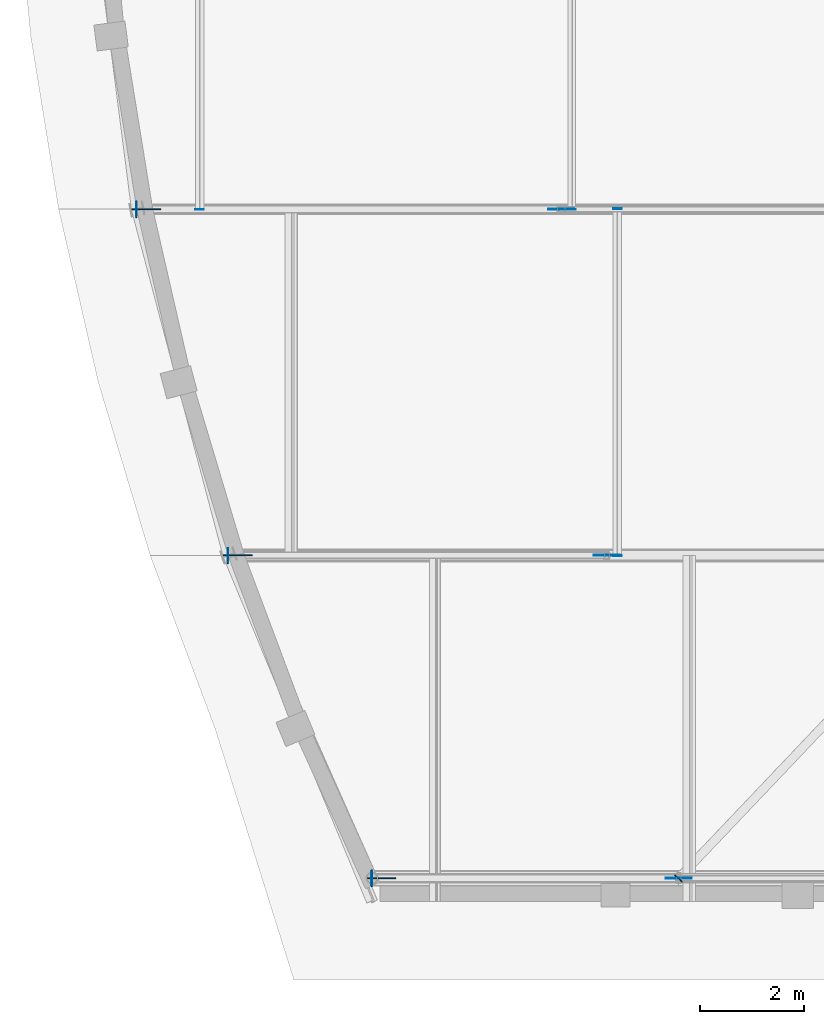
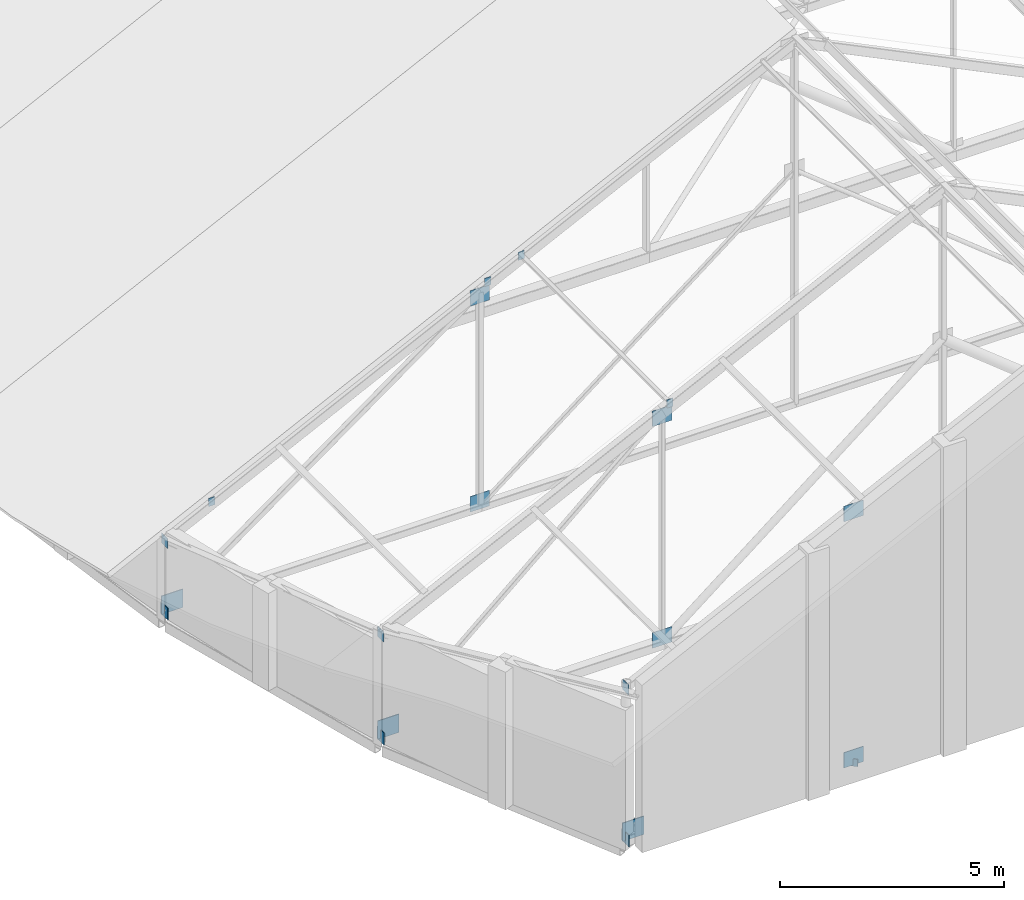
# One storey, part 38 of 78: 20 plates.
"""IFC4 building model written with IfcOpenShell, lengths in metres."""

from ifc_helpers import new_model, si_unit, direction, frame, origin, origin_2d, place, context, subcontext, project, spatial, rectangle, extrude, material, layer, layer_set, type_object, element, save


model = new_model("IFC4")

# Units and contexts
model_context = context("Model", 3, precision=1e-05, world=origin(), true_north=direction((0.0, 1.0)))
body_context = subcontext(model_context, "Body", "Model", "MODEL_VIEW")
ifc_project = project(units=[si_unit("LENGTHUNIT", "METRE"), si_unit("AREAUNIT", "SQUARE_METRE"), si_unit("VOLUMEUNIT", "CUBIC_METRE"), si_unit("PLANEANGLEUNIT", "RADIAN"), si_unit("MASSUNIT", "GRAM", prefix="KILO")], contexts=[model_context])

# Site, building, storey
site_placement = place(None, origin())
site = spatial("IfcSite", under=ifc_project, at=site_placement, CompositionType="ELEMENT")
building_placement = place(site_placement, origin())
building = spatial("IfcBuilding", under=site, at=building_placement, Name="Kelanivale Promenade Academy", CompositionType="ELEMENT")
storey_placement = place(building_placement, frame((0.0, 0.0, 16.199951171875)))
storey = spatial("IfcBuildingStorey", under=building, at=storey_placement, Name="L04", CompositionType="ELEMENT", Elevation=16.199951171875)

# Plates
ifc_material = material(Name="Steel S355", Category="steel")
ifc_layer_1 = layer(ifc_material, 0.01611328125)
ifc_layer_set_1 = layer_set([ifc_layer_1], Name="Steel S355")
plate_type_1 = type_object("IfcPlateType", Name="TN-CP16 Plate 16mm", PredefinedType="USERDEFINED", material=ifc_layer_set_1)
for number, where, z_axis, x_axis, name in (
    (1, (7.85400390625, 33.449951171875, 4.174072265625), (0.0, 0.0, 1.0), (-1.0, 0.0, 0.0), "ROOF TRUSS TN-1 hollow-section end cap plate"),
    (2, (5.10302734375, 39.62890625, 2.8310546875), (0.0, 0.0, 1.0), (-1.0, 0.0, 0.0), "ROOF TRUSS TN-1 hollow-section end cap plate"),
    (3, (3.35107421875, 46.257080078125, 1.97509765625), (0.0, 0.0, 1.0), (-1.0, 0.0, 0.0), "ROOF TRUSS TN-1 hollow-section end cap plate"),
):
    element("IfcPlate", number, at=place(storey_placement, frame(where, z_axis=z_axis, x_axis=x_axis)), inside=storey, type_object=plate_type_1, Name=name, ObjectType="CAP PLATE", PredefinedType="USERDEFINED", context=body_context, shape_type="SweptSolid", body=[
        extrude(rectangle(XDim=0.01611328125, YDim=0.27001953125, at=origin_2d()), origin(), (0.0, 0.0, 1.0), 0.27001953125),
    ])
plate_placement = place(storey_placement, frame((13.72509765625, 33.444091796875, 0.10009765625), z_axis=(0.0, 0.0, 1.0), x_axis=(-0.688734286451, -0.725013849983, 0.0)))
element("IfcPlate", 4, at=plate_placement, inside=storey, type_object=plate_type_1, Name="ROOF TRUSS TN-3 hollow-section end cap plate", ObjectType="CAP PLATE", PredefinedType="USERDEFINED", context=body_context, shape_type="SweptSolid", body=[
    extrude(rectangle(XDim=0.01611328125, YDim=0.199951171875, at=origin_2d()), origin(), (0.0, 0.0, 1.0), 0.199951171875),
])
for number, where, z_axis, x_axis, name in (
    (5, (12.555908203125, 39.62109375, 6.55615234375), (0.0, 0.0, 1.0), (0.0, -1.0, 0.0), "ROOF TRUSS TN-4 hollow-section end cap plate"),
    (6, (12.555908203125, 46.264892578125, 6.55615234375), (0.0, 0.0, 1.0), (0.0, 1.0, 0.0), "ROOF TRUSS TN-4 hollow-section end cap plate"),
    (7, (4.55908203125, 46.2490234375, 2.64990234375), (0.0, 0.0, 1.0), (0.0, -1.0, 0.0), "ROOF TRUSS TN-4 hollow-section end cap plate"),
    (8, (11.679931640625, 46.2490234375, 6.15625), (0.0, 0.0, 1.0), (0.0, -1.0, 0.0), "ROOF TRUSS TN-4 hollow-section end cap plate"),
):
    element("IfcPlate", number, at=place(storey_placement, frame(where, z_axis=z_axis, x_axis=x_axis)), inside=storey, type_object=plate_type_1, Name=name, ObjectType="CAP PLATE", PredefinedType="USERDEFINED", context=body_context, shape_type="SweptSolid", body=[
        extrude(rectangle(XDim=0.01611328125, YDim=0.159912109375, at=origin_2d()), origin(), (0.0, 0.0, 1.0), 0.219970703125),
    ])
ifc_layer_2 = layer(ifc_material, 0.02001953125)
ifc_layer_set_2 = layer_set([ifc_layer_2], Name="Steel S355")
plate_type_2 = type_object("IfcPlateType", Name="TN-CP20 Plate 20mm", PredefinedType="USERDEFINED", material=ifc_layer_set_2)
for number, where, z_axis, x_axis, name in (
    (9, (7.85205078125, 33.449951171875, 0.0400390625), (0.0, 0.0, 1.0), (-1.0, 0.0, 0.0), "ROOF TRUSS TN-1 hollow-section end cap plate"),
    (10, (5.10107421875, 39.62890625, 0.0400390625), (0.0, 0.0, 1.0), (-1.0, 0.0, 0.0), "ROOF TRUSS TN-1 hollow-section end cap plate"),
    (11, (3.34912109375, 46.257080078125, 0.0400390625), (0.0, 0.0, 1.0), (-1.0, 0.0, 0.0), "ROOF TRUSS TN-1 hollow-section end cap plate"),
):
    element("IfcPlate", number, at=place(storey_placement, frame(where, z_axis=z_axis, x_axis=x_axis)), inside=storey, type_object=plate_type_2, Name=name, ObjectType="CAP PLATE", PredefinedType="USERDEFINED", context=body_context, shape_type="SweptSolid", body=[
        extrude(rectangle(XDim=0.02001953125, YDim=0.320068359375, at=origin_2d()), origin(), (0.0, 0.0, 1.0), 0.320068359375),
    ])
ifc_layer_3 = layer(ifc_material, 0.01611328125)
ifc_layer_set_3 = layer_set([ifc_layer_3], Name="Steel S355")
plate_type_3 = type_object("IfcPlateType", Name="TN-GP16 Plate 16mm", PredefinedType="USERDEFINED", material=ifc_layer_set_3)
for number, where, z_axis, x_axis, name in (
    (12, (13.73095703125, 33.449951171875, 0.130126953125), (0.0, 0.0, 1.0), (1.0, 0.0, 0.0), "ROOF TRUSS TN-3 welded node gusset plate"),
    (13, (13.73095703125, 33.449951171875, 6.84619140625), (0.0, 0.0, 1.0), (1.0, 0.0, 0.0), "ROOF TRUSS TN-4 welded node gusset plate"),
    (14, (12.35595703125, 39.62890625, 0.130126953125), (0.0, 0.0, 1.0), (1.0, 0.0, 0.0), "ROOF TRUSS TN-3 welded node gusset plate"),
    (15, (12.35595703125, 39.62890625, 6.174072265625), (0.0, 0.0, 1.0), (1.0, 0.0, 0.0), "ROOF TRUSS TN-4 welded node gusset plate"),
    (16, (11.47998046875, 46.257080078125, 0.130126953125), (0.0, 0.0, 1.0), (1.0, 0.0, 0.0), "ROOF TRUSS TN-3 welded node gusset plate"),
    (17, (11.47998046875, 46.257080078125, 5.74609375), (0.0, 0.0, 1.0), (1.0, 0.0, 0.0), "ROOF TRUSS TN-4 welded node gusset plate"),
):
    element("IfcPlate", number, at=place(storey_placement, frame(where, z_axis=z_axis, x_axis=x_axis)), inside=storey, type_object=plate_type_3, Name=name, ObjectType="GUSSET PLATE", PredefinedType="USERDEFINED", context=body_context, shape_type="SweptSolid", body=[
        extrude(rectangle(XDim=0.5, YDim=0.01611328125, at=origin_2d()), origin(), (0.0, 0.0, 1.0), 0.419921875),
    ])
ifc_layer_4 = layer(ifc_material, 0.02001953125)
ifc_layer_set_4 = layer_set([ifc_layer_4], Name="Steel S355")
plate_type_4 = type_object("IfcPlateType", Name="TN-GP20 Plate 20mm", PredefinedType="USERDEFINED", material=ifc_layer_set_4)
for number, where, z_axis, x_axis, name in (
    (18, (8.0419921875, 33.449951171875, 0.130126953125), (0.0, 0.0, 1.0), (1.0, 0.0, 0.0), "ROOF TRUSS TN-1 welded node gusset plate"),
    (19, (5.291015625, 39.62890625, 0.130126953125), (0.0, 0.0, 1.0), (1.0, 0.0, 0.0), "ROOF TRUSS TN-1 welded node gusset plate"),
    (20, (3.5390625, 46.257080078125, 0.130126953125), (0.0, 0.0, 1.0), (1.0, 0.0, 0.0), "ROOF TRUSS TN-1 welded node gusset plate"),
):
    element("IfcPlate", number, at=place(storey_placement, frame(where, z_axis=z_axis, x_axis=x_axis)), inside=storey, type_object=plate_type_4, Name=name, ObjectType="GUSSET PLATE", PredefinedType="USERDEFINED", context=body_context, shape_type="SweptSolid", body=[
        extrude(rectangle(XDim=0.550048828125, YDim=0.02001953125, at=origin_2d()), origin(), (0.0, 0.0, 1.0), 0.5),
    ])

save(model, "model.ifc")
